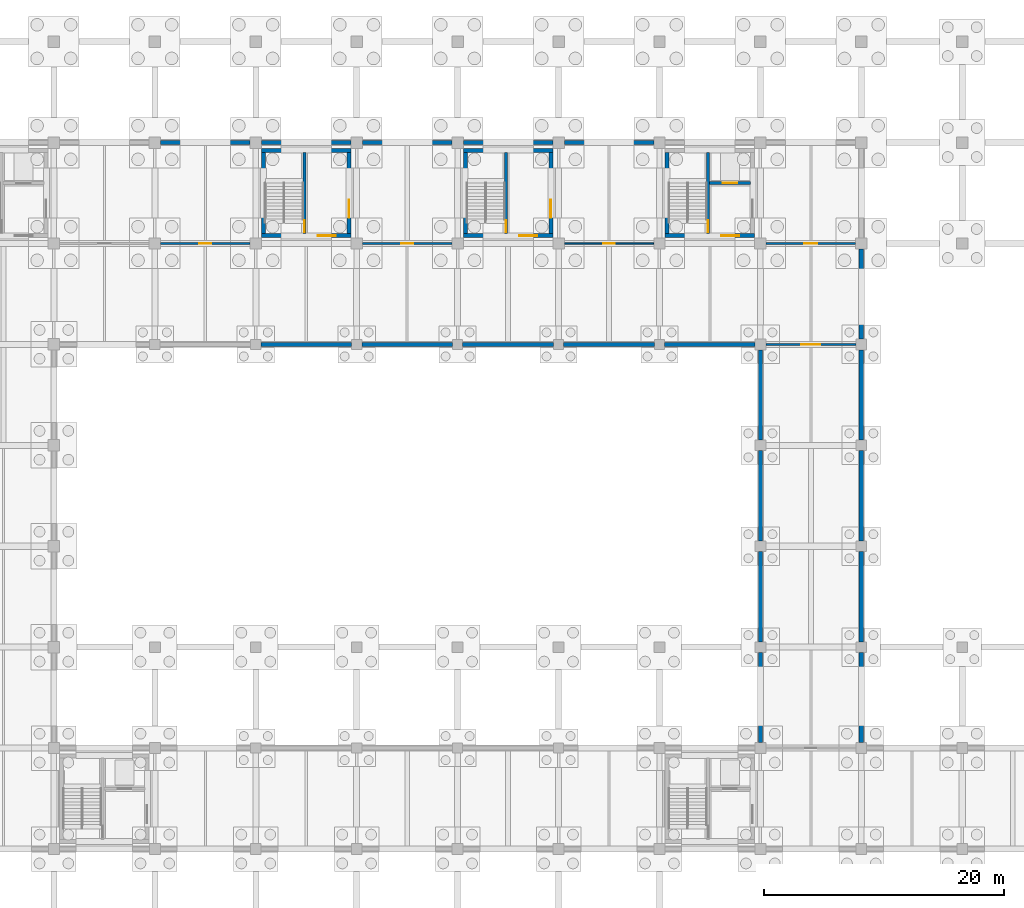
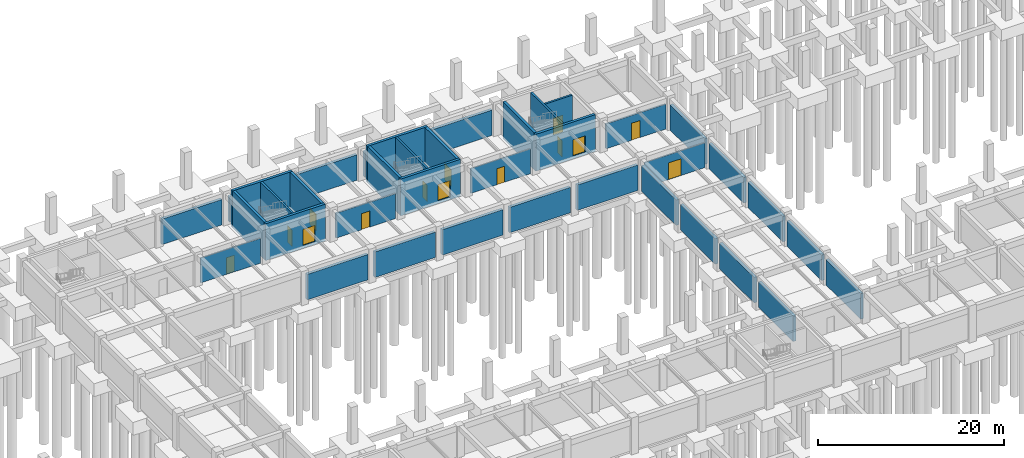
# One storey, part 22 of 29: 38 walls, 14 doors, 14 openings.
"""IFC4 building model written with IfcOpenShell, lengths in metres."""

from ifc_helpers import new_model, si_unit, direction, frame, frame_2d, origin, place, context, subcontext, project, spatial, rectangle, extrude, material, layer, layer_set, type_object, element, fill, save


model = new_model("IFC4")

# Units and contexts
model_context = context("Model", 3, precision=1e-05, world=origin(), true_north=direction((0.0, 1.0)))
body_context = subcontext(model_context, "Body", "Model", "MODEL_VIEW")
ifc_project = project(units=[si_unit("LENGTHUNIT", "METRE"), si_unit("AREAUNIT", "SQUARE_METRE"), si_unit("VOLUMEUNIT", "CUBIC_METRE"), si_unit("PLANEANGLEUNIT", "RADIAN"), si_unit("MASSUNIT", "GRAM", prefix="KILO")], contexts=[model_context])

# Site, building, storey
site_placement = place(None, origin())
site = spatial("IfcSite", under=ifc_project, at=site_placement, CompositionType="ELEMENT")
building_placement = place(site_placement, origin())
building = spatial("IfcBuilding", under=site, at=building_placement, Name="Porcellanite Civic Hall", CompositionType="ELEMENT")
storey_placement = place(building_placement, frame((0.0, 0.0, -4.5)))
storey = spatial("IfcBuildingStorey", under=building, at=storey_placement, Name="B1", CompositionType="ELEMENT", Elevation=-4.5)

# Wall, opening, door
ifc_material_1 = material(Name="Concrete N40 (40 MPa)", Category="concrete")
ifc_layer_1 = layer(ifc_material_1, 0.239990234375)
ifc_layer_set_1 = layer_set([ifc_layer_1], Name="Concrete N40 (40 MPa)")
wall_type_1 = type_object("IfcWallType", Name="CW-SH240", PredefinedType="SHEAR", material=ifc_layer_set_1)
wall_1_placement = place(storey_placement, frame((113.239990234375, 101.610107421875, -0.35009765625), z_axis=(0.0, 0.0, 1.0), x_axis=(0.0, 1.0, 0.0)))
wall_1 = element("IfcWall", 1, at=wall_1_placement, inside=storey, type_object=wall_type_1, Name="Core divider C4 B1", PredefinedType="SHEAR", context=body_context, shape_type="SweptSolid", body=[
    extrude(rectangle(XDim=6.77978515625, YDim=0.239990234375, at=frame_2d((3.389892578125, 0.0))), origin(), (0.0, 0.0, 1.0), 4.85009765625),
])
opening_1_placement = place(wall_1_placement, frame((0.1201171875, 0.0, 0.35009765625)))
opening_1 = element("IfcOpeningElement", 2, at=opening_1_placement, cuts=wall_1, Name="Opening FD-C4-B1-ST", PredefinedType="OPENING", context=body_context, shape_type="SweptSolid", body=[
    extrude(rectangle(XDim=1.0, YDim=2.14990234375, at=frame_2d((0.5, 1.074951171875))), frame((0.0, 0.1201171875, 0.0), z_axis=(0.0, -1.0, 0.0), x_axis=(1.0, 0.0, 0.0)), (0.0, 0.0, 1.0), 0.239990234375),
])
ifc_material_2 = material(Name="Fire-rated solid-core hardwood timber", Category="wood")
door_type_1 = type_object("IfcDoorType", Name="DR-FD100", OperationType="NOTDEFINED", PredefinedType="DOOR", material=ifc_material_2)
door_1_placement = place(opening_1_placement, origin())
door_1 = element("IfcDoor", 3, at=door_1_placement, inside=storey, type_object=door_type_1, Name="Fire stair door FD-C4-B1-ST", OperationType="SINGLE_SWING_LEFT", OverallHeight=2.14990234375, OverallWidth=1.0, PredefinedType="DOOR", context=body_context, shape_type="SweptSolid", body=[
    extrude(rectangle(XDim=1.0, YDim=2.14990234375, at=frame_2d((0.5, 1.074951171875))), frame((0.0, 0.02490234375, 0.0), z_axis=(0.0, -1.0, 0.0), x_axis=(1.0, 0.0, 0.0)), (0.0, 0.0, 1.0), 0.050048828125),
])
fill(opening_1, door_1)

wall_2_placement = place(storey_placement, frame((113.360107421875, 105.820068359375, -0.35009765625), z_axis=(0.0, 0.0, 1.0), x_axis=(1.0, 0.0, 0.0)))
wall_2 = element("IfcWall", 4, at=wall_2_placement, inside=storey, type_object=wall_type_1, Name="Lift shaft wall C4 B1", PredefinedType="SHEAR", context=body_context, shape_type="SweptSolid", body=[
    extrude(rectangle(XDim=3.429931640625, YDim=0.239990234375, at=frame_2d((1.71484375, 0.0))), origin(), (0.0, 0.0, 1.0), 4.85009765625),
])
opening_2_placement = place(wall_2_placement, frame((1.114990234375, 0.0, 0.35009765625)))
opening_2 = element("IfcOpeningElement", 5, at=opening_2_placement, cuts=wall_2, Name="Opening LD-02", PredefinedType="OPENING", context=body_context, shape_type="SweptSolid", body=[
    extrude(rectangle(XDim=1.199951171875, YDim=2.199951171875, at=frame_2d((0.60009765625, 1.10009765625))), frame((0.0, 0.1201171875, 0.0), z_axis=(0.0, -1.0, 0.0), x_axis=(1.0, 0.0, 0.0)), (0.0, 0.0, 1.0), 0.239990234375),
])
ifc_material_3 = material(Name="Brushed stainless steel 316", Category="steel")
door_type_2 = type_object("IfcDoorType", Name="DR-LD120", OperationType="DOUBLE_DOOR_SLIDING", PredefinedType="DOOR", material=ifc_material_3)
door_2_placement = place(opening_2_placement, origin())
door_2 = element("IfcDoor", 6, at=door_2_placement, inside=storey, type_object=door_type_2, Name="Lift landing sliding door LD-02 B1", OperationType="DOUBLE_DOOR_SLIDING", OverallHeight=2.199951171875, OverallWidth=1.199951171875, PredefinedType="DOOR", context=body_context, shape_type="SweptSolid", body=[
    extrude(rectangle(XDim=1.199951171875, YDim=2.199951171875, at=frame_2d((0.60009765625, 1.10009765625))), frame((0.0, 0.02490234375, 0.0), z_axis=(0.0, -1.0, 0.0), x_axis=(1.0, 0.0, 0.0)), (0.0, 0.0, 1.0), 0.050048828125),
])
fill(opening_2, door_2)

wall_3_placement = place(storey_placement, frame((79.639892578125, 101.610107421875, -0.35009765625), z_axis=(0.0, 0.0, 1.0), x_axis=(0.0, 1.0, 0.0)))
wall_3 = element("IfcWall", 7, at=wall_3_placement, inside=storey, type_object=wall_type_1, Name="Core divider S9 B1", PredefinedType="SHEAR", context=body_context, shape_type="SweptSolid", body=[
    extrude(rectangle(XDim=6.77978515625, YDim=0.239990234375, at=frame_2d((3.389892578125, 0.0))), origin(), (0.0, 0.0, 1.0), 4.85009765625),
])
opening_3_placement = place(wall_3_placement, frame((0.1201171875, 0.0, 0.35009765625)))
opening_3 = element("IfcOpeningElement", 8, at=opening_3_placement, cuts=wall_3, Name="Opening FD-S9-B1-ST", PredefinedType="OPENING", context=body_context, shape_type="SweptSolid", body=[
    extrude(rectangle(XDim=1.0, YDim=2.14990234375, at=frame_2d((0.5, 1.074951171875))), frame((0.0, 0.1201171875, 0.0), z_axis=(0.0, -1.0, 0.0), x_axis=(1.0, 0.0, 0.0)), (0.0, 0.0, 1.0), 0.239990234375),
])
door_3_placement = place(opening_3_placement, origin())
door_3 = element("IfcDoor", 9, at=door_3_placement, inside=storey, type_object=door_type_1, Name="Fire stair door FD-S9-B1-ST", OperationType="SINGLE_SWING_RIGHT", OverallHeight=2.14990234375, OverallWidth=1.0, PredefinedType="DOOR", context=body_context, shape_type="SweptSolid", body=[
    extrude(rectangle(XDim=1.0, YDim=2.14990234375, at=frame_2d((0.5, 1.074951171875))), frame((0.0, 0.02490234375, 0.0), z_axis=(0.0, -1.0, 0.0), x_axis=(1.0, 0.0, 0.0)), (0.0, 0.0, 1.0), 0.050048828125),
])
fill(opening_3, door_3)

wall_4_placement = place(storey_placement, frame((96.43994140625, 101.610107421875, -0.35009765625), z_axis=(0.0, 0.0, 1.0), x_axis=(0.0, 1.0, 0.0)))
wall_4 = element("IfcWall", 10, at=wall_4_placement, inside=storey, type_object=wall_type_1, Name="Core divider S10 B1", PredefinedType="SHEAR", context=body_context, shape_type="SweptSolid", body=[
    extrude(rectangle(XDim=6.77978515625, YDim=0.239990234375, at=frame_2d((3.389892578125, 0.0))), origin(), (0.0, 0.0, 1.0), 4.85009765625),
])
opening_4_placement = place(wall_4_placement, frame((0.1201171875, 0.0, 0.35009765625)))
opening_4 = element("IfcOpeningElement", 11, at=opening_4_placement, cuts=wall_4, Name="Opening FD-S10-B1-ST", PredefinedType="OPENING", context=body_context, shape_type="SweptSolid", body=[
    extrude(rectangle(XDim=1.0, YDim=2.14990234375, at=frame_2d((0.5, 1.074951171875))), frame((0.0, 0.1201171875, 0.0), z_axis=(0.0, -1.0, 0.0), x_axis=(1.0, 0.0, 0.0)), (0.0, 0.0, 1.0), 0.239990234375),
])
door_4_placement = place(opening_4_placement, origin())
door_4 = element("IfcDoor", 12, at=door_4_placement, inside=storey, type_object=door_type_1, Name="Fire stair door FD-S10-B1-ST", OperationType="SINGLE_SWING_LEFT", OverallHeight=2.14990234375, OverallWidth=1.0, PredefinedType="DOOR", context=body_context, shape_type="SweptSolid", body=[
    extrude(rectangle(XDim=1.0, YDim=2.14990234375, at=frame_2d((0.5, 1.074951171875))), frame((0.0, 0.02490234375, 0.0), z_axis=(0.0, -1.0, 0.0), x_axis=(1.0, 0.0, 0.0)), (0.0, 0.0, 1.0), 0.050048828125),
])
fill(opening_4, door_4)

ifc_material_4 = material(Name="Concrete N40 (40 MPa)", Category="concrete")
ifc_layer_2 = layer(ifc_material_4, 0.330078125)
ifc_layer_set_2 = layer_set([ifc_layer_2], Name="Concrete N40 (40 MPa)")
wall_type_2 = type_object("IfcWallType", Name="CW-SH330", PredefinedType="SHEAR", material=ifc_layer_set_2)
wall_5_placement = place(storey_placement, frame((117.1201171875, 101.445068359375, -0.35009765625), z_axis=(0.0, 0.0, 1.0), x_axis=(-1.0, 0.0, 0.0)))
wall_5 = element("IfcWall", 13, at=wall_5_placement, inside=storey, type_object=wall_type_2, Name="Core wall C4 B1 S", PredefinedType="SHEAR", context=body_context, shape_type="SweptSolid", body=[
    extrude(rectangle(XDim=7.440185546875, YDim=0.330078125, at=frame_2d((3.72021484375, 0.0))), origin(), (0.0, 0.0, 1.0), 4.85009765625),
])
opening_5_placement = place(wall_5_placement, frame((1.280029296875, 0.0, 0.35009765625)))
opening_5 = element("IfcOpeningElement", 14, at=opening_5_placement, cuts=wall_5, Name="Opening FD-C4-B1-LS", PredefinedType="OPENING", context=body_context, shape_type="SweptSolid", body=[
    extrude(rectangle(XDim=1.5, YDim=2.14990234375, at=frame_2d((0.75, 1.074951171875))), frame((0.0, 0.1650390625, 0.0), z_axis=(0.0, -1.0, 0.0), x_axis=(1.0, 0.0, 0.0)), (0.0, 0.0, 1.0), 0.330078125),
])
ifc_material_5 = material(Name="Fire-rated steel and Georgian wired glass", Category="steel")
door_type_3 = type_object("IfcDoorType", Name="DR-FD150", OperationType="DOUBLE_DOOR_SINGLE_SWING", PredefinedType="DOOR", material=ifc_material_5)
door_5_placement = place(opening_5_placement, origin())
door_5 = element("IfcDoor", 15, at=door_5_placement, inside=storey, type_object=door_type_3, Name="Fire lobby south door FD-C4-B1-LS", OperationType="DOUBLE_DOOR_SINGLE_SWING", OverallHeight=2.14990234375, OverallWidth=1.5, PredefinedType="DOOR", context=body_context, shape_type="SweptSolid", body=[
    extrude(rectangle(XDim=1.5, YDim=2.14990234375, at=frame_2d((0.75, 1.074951171875))), frame((0.0, 0.02490234375, 0.0), z_axis=(0.0, -1.0, 0.0), x_axis=(1.0, 0.0, 0.0)), (0.0, 0.0, 1.0), 0.050048828125),
])
fill(opening_5, door_5)

# Wall
wall_6_placement = place(storey_placement, frame((109.844970703125, 101.610107421875, -0.35009765625), z_axis=(0.0, 0.0, 1.0), x_axis=(0.0, 1.0, 0.0)))
element("IfcWall", 16, at=wall_6_placement, inside=storey, type_object=wall_type_2, Name="Core wall C4 B1 W", PredefinedType="SHEAR", context=body_context, shape_type="SweptSolid", body=[
    extrude(rectangle(XDim=6.77978515625, YDim=0.330078125, at=frame_2d((3.389892578125, 0.0))), origin(), (0.0, 0.0, 1.0), 4.85009765625),
])

# Wall, opening, door
wall_7_placement = place(storey_placement, frame((83.52001953125, 101.445068359375, -0.35009765625), z_axis=(0.0, 0.0, 1.0), x_axis=(-1.0, 0.0, 0.0)))
wall_7 = element("IfcWall", 17, at=wall_7_placement, inside=storey, type_object=wall_type_2, Name="Core wall S9 B1 S", PredefinedType="SHEAR", context=body_context, shape_type="SweptSolid", body=[
    extrude(rectangle(XDim=7.43994140625, YDim=0.330078125, at=frame_2d((3.719970703125, 0.0))), origin(), (0.0, 0.0, 1.0), 4.85009765625),
])
opening_6_placement = place(wall_7_placement, frame((1.280029296875, 0.0, 0.35009765625)))
opening_6 = element("IfcOpeningElement", 18, at=opening_6_placement, cuts=wall_7, Name="Opening FD-S9-B1-LS", PredefinedType="OPENING", context=body_context, shape_type="SweptSolid", body=[
    extrude(rectangle(XDim=1.5, YDim=2.14990234375, at=frame_2d((0.75, 1.074951171875))), frame((0.0, 0.1650390625, 0.0), z_axis=(0.0, -1.0, 0.0), x_axis=(1.0, 0.0, 0.0)), (0.0, 0.0, 1.0), 0.330078125),
])
door_6_placement = place(opening_6_placement, origin())
door_6 = element("IfcDoor", 19, at=door_6_placement, inside=storey, type_object=door_type_3, Name="Fire lobby south door FD-S9-B1-LS", OperationType="DOUBLE_DOOR_SINGLE_SWING", OverallHeight=2.14990234375, OverallWidth=1.5, PredefinedType="DOOR", context=body_context, shape_type="SweptSolid", body=[
    extrude(rectangle(XDim=1.5, YDim=2.14990234375, at=frame_2d((0.75, 1.074951171875))), frame((0.0, 0.02490234375, 0.0), z_axis=(0.0, -1.0, 0.0), x_axis=(1.0, 0.0, 0.0)), (0.0, 0.0, 1.0), 0.050048828125),
])
fill(opening_6, door_6)

# Walls
wall_8_placement = place(storey_placement, frame((76.2451171875, 101.610107421875, -0.35009765625), z_axis=(0.0, 0.0, 1.0), x_axis=(0.0, 1.0, 0.0)))
element("IfcWall", 20, at=wall_8_placement, inside=storey, type_object=wall_type_2, Name="Core wall S9 B1 W", PredefinedType="SHEAR", context=body_context, shape_type="SweptSolid", body=[
    extrude(rectangle(XDim=6.77978515625, YDim=0.330078125, at=frame_2d((3.389892578125, 0.0))), origin(), (0.0, 0.0, 1.0), 4.85009765625),
])
wall_9_placement = place(storey_placement, frame((76.080078125, 108.554931640625, -0.35009765625), z_axis=(0.0, 0.0, 1.0), x_axis=(1.0, 0.0, 0.0)))
element("IfcWall", 21, at=wall_9_placement, inside=storey, type_object=wall_type_2, Name="Core wall S9 B1 N", PredefinedType="SHEAR", context=body_context, shape_type="SweptSolid", body=[
    extrude(rectangle(XDim=7.43994140625, YDim=0.330078125, at=frame_2d((3.719970703125, 0.0))), origin(), (0.0, 0.0, 1.0), 4.85009765625),
])

# Wall, opening, door
wall_10_placement = place(storey_placement, frame((83.35498046875, 108.389892578125, -0.35009765625), z_axis=(0.0, 0.0, 1.0), x_axis=(0.0, -1.0, 0.0)))
wall_10 = element("IfcWall", 22, at=wall_10_placement, inside=storey, type_object=wall_type_2, Name="Core wall S9 B1 E", PredefinedType="SHEAR", context=body_context, shape_type="SweptSolid", body=[
    extrude(rectangle(XDim=6.77978515625, YDim=0.330078125, at=frame_2d((3.389892578125, 0.0))), origin(), (0.0, 0.0, 1.0), 4.85009765625),
])
opening_7_placement = place(wall_10_placement, frame((3.93994140625, 0.0, 0.35009765625)))
opening_7 = element("IfcOpeningElement", 23, at=opening_7_placement, cuts=wall_10, Name="Opening FD-S9-B1-LB", PredefinedType="OPENING", context=body_context, shape_type="SweptSolid", body=[
    extrude(rectangle(XDim=1.5, YDim=2.14990234375, at=frame_2d((0.75, 1.074951171875))), frame((0.0, 0.1650390625, 0.0), z_axis=(0.0, -1.0, 0.0), x_axis=(1.0, 0.0, 0.0)), (0.0, 0.0, 1.0), 0.330078125),
])
door_7_placement = place(opening_7_placement, origin())
door_7 = element("IfcDoor", 24, at=door_7_placement, inside=storey, type_object=door_type_3, Name="Fire lobby double door FD-S9-B1-LB", OperationType="DOUBLE_DOOR_SINGLE_SWING", OverallHeight=2.14990234375, OverallWidth=1.5, PredefinedType="DOOR", context=body_context, shape_type="SweptSolid", body=[
    extrude(rectangle(XDim=1.5, YDim=2.14990234375, at=frame_2d((0.75, 1.074951171875))), frame((0.0, 0.02490234375, 0.0), z_axis=(0.0, -1.0, 0.0), x_axis=(1.0, 0.0, 0.0)), (0.0, 0.0, 1.0), 0.050048828125),
])
fill(opening_7, door_7)

wall_11_placement = place(storey_placement, frame((100.320068359375, 101.445068359375, -0.35009765625), z_axis=(0.0, 0.0, 1.0), x_axis=(-1.0, 0.0, 0.0)))
wall_11 = element("IfcWall", 25, at=wall_11_placement, inside=storey, type_object=wall_type_2, Name="Core wall S10 B1 S", PredefinedType="SHEAR", context=body_context, shape_type="SweptSolid", body=[
    extrude(rectangle(XDim=7.440185546875, YDim=0.330078125, at=frame_2d((3.72021484375, 0.0))), origin(), (0.0, 0.0, 1.0), 4.85009765625),
])
opening_8_placement = place(wall_11_placement, frame((1.280029296875, 0.0, 0.35009765625)))
opening_8 = element("IfcOpeningElement", 26, at=opening_8_placement, cuts=wall_11, Name="Opening FD-S10-B1-LS", PredefinedType="OPENING", context=body_context, shape_type="SweptSolid", body=[
    extrude(rectangle(XDim=1.5, YDim=2.14990234375, at=frame_2d((0.75, 1.074951171875))), frame((0.0, 0.1650390625, 0.0), z_axis=(0.0, -1.0, 0.0), x_axis=(1.0, 0.0, 0.0)), (0.0, 0.0, 1.0), 0.330078125),
])
door_8_placement = place(opening_8_placement, origin())
door_8 = element("IfcDoor", 27, at=door_8_placement, inside=storey, type_object=door_type_3, Name="Fire lobby south door FD-S10-B1-LS", OperationType="DOUBLE_DOOR_SINGLE_SWING", OverallHeight=2.14990234375, OverallWidth=1.5, PredefinedType="DOOR", context=body_context, shape_type="SweptSolid", body=[
    extrude(rectangle(XDim=1.5, YDim=2.14990234375, at=frame_2d((0.75, 1.074951171875))), frame((0.0, 0.02490234375, 0.0), z_axis=(0.0, -1.0, 0.0), x_axis=(1.0, 0.0, 0.0)), (0.0, 0.0, 1.0), 0.050048828125),
])
fill(opening_8, door_8)

# Walls
wall_12_placement = place(storey_placement, frame((93.044921875, 101.610107421875, -0.35009765625), z_axis=(0.0, 0.0, 1.0), x_axis=(0.0, 1.0, 0.0)))
element("IfcWall", 28, at=wall_12_placement, inside=storey, type_object=wall_type_2, Name="Core wall S10 B1 W", PredefinedType="SHEAR", context=body_context, shape_type="SweptSolid", body=[
    extrude(rectangle(XDim=6.77978515625, YDim=0.330078125, at=frame_2d((3.389892578125, 0.0))), origin(), (0.0, 0.0, 1.0), 4.85009765625),
])
wall_13_placement = place(storey_placement, frame((92.8798828125, 108.554931640625, -0.35009765625), z_axis=(0.0, 0.0, 1.0), x_axis=(1.0, 0.0, 0.0)))
element("IfcWall", 29, at=wall_13_placement, inside=storey, type_object=wall_type_2, Name="Core wall S10 B1 N", PredefinedType="SHEAR", context=body_context, shape_type="SweptSolid", body=[
    extrude(rectangle(XDim=7.440185546875, YDim=0.330078125, at=frame_2d((3.72021484375, 0.0))), origin(), (0.0, 0.0, 1.0), 4.85009765625),
])

# Wall, opening, door
wall_14_placement = place(storey_placement, frame((100.155029296875, 108.389892578125, -0.35009765625), z_axis=(0.0, 0.0, 1.0), x_axis=(0.0, -1.0, 0.0)))
wall_14 = element("IfcWall", 30, at=wall_14_placement, inside=storey, type_object=wall_type_2, Name="Core wall S10 B1 E", PredefinedType="SHEAR", context=body_context, shape_type="SweptSolid", body=[
    extrude(rectangle(XDim=6.77978515625, YDim=0.330078125, at=frame_2d((3.389892578125, 0.0))), origin(), (0.0, 0.0, 1.0), 4.85009765625),
])
opening_9_placement = place(wall_14_placement, frame((3.93994140625, 0.0, 0.35009765625)))
opening_9 = element("IfcOpeningElement", 31, at=opening_9_placement, cuts=wall_14, Name="Opening FD-S10-B1-LB", PredefinedType="OPENING", context=body_context, shape_type="SweptSolid", body=[
    extrude(rectangle(XDim=1.5, YDim=2.14990234375, at=frame_2d((0.75, 1.074951171875))), frame((0.0, 0.1650390625, 0.0), z_axis=(0.0, -1.0, 0.0), x_axis=(1.0, 0.0, 0.0)), (0.0, 0.0, 1.0), 0.330078125),
])
door_9_placement = place(opening_9_placement, origin())
door_9 = element("IfcDoor", 32, at=door_9_placement, inside=storey, type_object=door_type_3, Name="Fire lobby double door FD-S10-B1-LB", OperationType="DOUBLE_DOOR_SINGLE_SWING", OverallHeight=2.14990234375, OverallWidth=1.5, PredefinedType="DOOR", context=body_context, shape_type="SweptSolid", body=[
    extrude(rectangle(XDim=1.5, YDim=2.14990234375, at=frame_2d((0.75, 1.074951171875))), frame((0.0, 0.02490234375, 0.0), z_axis=(0.0, -1.0, 0.0), x_axis=(1.0, 0.0, 0.0)), (0.0, 0.0, 1.0), 0.050048828125),
])
fill(opening_9, door_9)

# Walls
ifc_material_6 = material(Name="Concrete N40 (40 MPa)", Category="concrete")
ifc_layer_3 = layer(ifc_material_6, 0.35009765625)
ifc_layer_set_3 = layer_set([ifc_layer_3], Name="Concrete N40 (40 MPa)")
wall_type_3 = type_object("IfcWallType", Name="EW-BSM350", PredefinedType="SOLIDWALL", material=ifc_layer_set_3)
wall_15_placement = place(storey_placement, frame((67.676025390625, 109.199951171875, 0.0), z_axis=(0.0, 0.0, 1.0), x_axis=(1.0, 0.0, 0.0)))
element("IfcWall", 33, at=wall_15_placement, inside=storey, type_object=wall_type_3, Name="Exterior wall B1 N 9-13", PredefinedType="SOLIDWALL", context=body_context, shape_type="SweptSolid", body=[
    extrude(rectangle(XDim=7.447998046875, YDim=0.35009765625, at=frame_2d((3.72412109375, 0.0))), origin(), (0.0, 0.0, 1.0), 3.35009765625),
])
wall_16_placement = place(storey_placement, frame((83.573974609375, 92.39990234375, 0.0), z_axis=(0.0, 0.0, 1.0), x_axis=(-1.0, 0.0, 0.0)))
element("IfcWall", 34, at=wall_16_placement, inside=storey, type_object=wall_type_3, Name="Exterior wall B1 S 10-12", PredefinedType="SOLIDWALL", context=body_context, shape_type="SweptSolid", body=[
    extrude(rectangle(XDim=7.548095703125, YDim=0.35009765625, at=frame_2d((3.77392578125, 0.0))), origin(), (0.0, 0.0, 1.0), 3.35009765625),
])
wall_17_placement = place(storey_placement, frame((76.075927734375, 109.199951171875, 0.0), z_axis=(0.0, 0.0, 1.0), x_axis=(1.0, 0.0, 0.0)))
element("IfcWall", 35, at=wall_17_placement, inside=storey, type_object=wall_type_3, Name="Exterior wall B1 N 10-13", PredefinedType="SOLIDWALL", context=body_context, shape_type="SweptSolid", body=[
    extrude(rectangle(XDim=7.447998046875, YDim=0.35009765625, at=frame_2d((3.72412109375, 0.0))), origin(), (0.0, 0.0, 1.0), 3.35009765625),
])
wall_18_placement = place(storey_placement, frame((91.97412109375, 92.39990234375, 0.0), z_axis=(0.0, 0.0, 1.0), x_axis=(-1.0, 0.0, 0.0)))
element("IfcWall", 36, at=wall_18_placement, inside=storey, type_object=wall_type_3, Name="Exterior wall B1 S 11-12", PredefinedType="SOLIDWALL", context=body_context, shape_type="SweptSolid", body=[
    extrude(rectangle(XDim=7.548095703125, YDim=0.35009765625, at=frame_2d((3.77392578125, 0.0))), origin(), (0.0, 0.0, 1.0), 3.35009765625),
])
wall_19_placement = place(storey_placement, frame((84.47607421875, 109.199951171875, 0.0), z_axis=(0.0, 0.0, 1.0), x_axis=(1.0, 0.0, 0.0)))
element("IfcWall", 37, at=wall_19_placement, inside=storey, type_object=wall_type_3, Name="Exterior wall B1 N 11-13", PredefinedType="SOLIDWALL", context=body_context, shape_type="SweptSolid", body=[
    extrude(rectangle(XDim=7.447998046875, YDim=0.35009765625, at=frame_2d((3.72412109375, 0.0))), origin(), (0.0, 0.0, 1.0), 3.35009765625),
])
wall_20_placement = place(storey_placement, frame((100.3740234375, 92.39990234375, 0.0), z_axis=(0.0, 0.0, 1.0), x_axis=(-1.0, 0.0, 0.0)))
element("IfcWall", 38, at=wall_20_placement, inside=storey, type_object=wall_type_3, Name="Exterior wall B1 S 12-12", PredefinedType="SOLIDWALL", context=body_context, shape_type="SweptSolid", body=[
    extrude(rectangle(XDim=7.548095703125, YDim=0.35009765625, at=frame_2d((3.77392578125, 0.0))), origin(), (0.0, 0.0, 1.0), 3.35009765625),
])
wall_21_placement = place(storey_placement, frame((92.8759765625, 109.199951171875, 0.0), z_axis=(0.0, 0.0, 1.0), x_axis=(1.0, 0.0, 0.0)))
element("IfcWall", 39, at=wall_21_placement, inside=storey, type_object=wall_type_3, Name="Exterior wall B1 N 12-13", PredefinedType="SOLIDWALL", context=body_context, shape_type="SweptSolid", body=[
    extrude(rectangle(XDim=7.447998046875, YDim=0.35009765625, at=frame_2d((3.72412109375, 0.0))), origin(), (0.0, 0.0, 1.0), 3.35009765625),
])
wall_22_placement = place(storey_placement, frame((108.77392578125, 92.39990234375, 0.0), z_axis=(0.0, 0.0, 1.0), x_axis=(-1.0, 0.0, 0.0)))
element("IfcWall", 40, at=wall_22_placement, inside=storey, type_object=wall_type_3, Name="Exterior wall B1 S 13-12", PredefinedType="SOLIDWALL", context=body_context, shape_type="SweptSolid", body=[
    extrude(rectangle(XDim=7.5478515625, YDim=0.35009765625, at=frame_2d((3.77392578125, 0.0))), origin(), (0.0, 0.0, 1.0), 3.35009765625),
])
wall_23_placement = place(storey_placement, frame((101.27587890625, 109.199951171875, 0.0), z_axis=(0.0, 0.0, 1.0), x_axis=(1.0, 0.0, 0.0)))
element("IfcWall", 41, at=wall_23_placement, inside=storey, type_object=wall_type_3, Name="Exterior wall B1 N 13-13", PredefinedType="SOLIDWALL", context=body_context, shape_type="SweptSolid", body=[
    extrude(rectangle(XDim=7.4482421875, YDim=0.35009765625, at=frame_2d((3.72412109375, 0.0))), origin(), (0.0, 0.0, 1.0), 3.35009765625),
])
wall_24_placement = place(storey_placement, frame((117.14892578125, 92.39990234375, 0.0), z_axis=(0.0, 0.0, 1.0), x_axis=(-1.0, 0.0, 0.0)))
element("IfcWall", 42, at=wall_24_placement, inside=storey, type_object=wall_type_3, Name="Exterior wall B1 S 14-12", PredefinedType="SOLIDWALL", context=body_context, shape_type="SweptSolid", body=[
    extrude(rectangle(XDim=7.52294921875, YDim=0.35009765625, at=frame_2d((3.761474609375, 0.0))), origin(), (0.0, 0.0, 1.0), 3.35009765625),
])
for number, where, z_axis, x_axis, name in (
    (43, (117.60009765625, 59.2509765625, 0.0), (0.0, 0.0, 1.0), (0.0, 1.0, 0.0), "Exterior wall B1 W 15-8"),
    (44, (126.0, 66.7490234375, 0.0), (0.0, 0.0, 1.0), (0.0, -1.0, 0.0), "Exterior wall B1 E 15-8"),
    (45, (117.60009765625, 67.65087890625, 0.0), (0.0, 0.0, 1.0), (0.0, 1.0, 0.0), "Exterior wall B1 W 15-9"),
    (46, (126.0, 75.14892578125, 0.0), (0.0, 0.0, 1.0), (0.0, -1.0, 0.0), "Exterior wall B1 E 15-9"),
    (47, (117.60009765625, 76.051025390625, 0.0), (0.0, 0.0, 1.0), (0.0, 1.0, 0.0), "Exterior wall B1 W 15-10"),
    (48, (126.0, 83.549072265625, 0.0), (0.0, 0.0, 1.0), (0.0, -1.0, 0.0), "Exterior wall B1 E 15-10"),
    (49, (117.60009765625, 84.450927734375, 0.0), (0.0, 0.0, 1.0), (0.0, 1.0, 0.0), "Exterior wall B1 W 15-11"),
    (50, (126.0, 91.948974609375, 0.0), (0.0, 0.0, 1.0), (0.0, -1.0, 0.0), "Exterior wall B1 E 15-11"),
):
    element("IfcWall", number, at=place(storey_placement, frame(where, z_axis=z_axis, x_axis=x_axis)), inside=storey, type_object=wall_type_3, Name=name, PredefinedType="SOLIDWALL", context=body_context, shape_type="SweptSolid", body=[
        extrude(rectangle(XDim=7.498046875, YDim=0.35009765625, at=frame_2d((3.7490234375, 0.0))), origin(), (0.0, 0.0, 1.0), 3.35009765625),
    ])
wall_25_placement = place(storey_placement, frame((126.0, 100.323974609375, 0.0), z_axis=(0.0, 0.0, 1.0), x_axis=(0.0, -1.0, 0.0)))
element("IfcWall", 51, at=wall_25_placement, inside=storey, type_object=wall_type_3, Name="Exterior wall B1 E 15-12", PredefinedType="SOLIDWALL", context=body_context, shape_type="SweptSolid", body=[
    extrude(rectangle(XDim=7.472900390625, YDim=0.35009765625, at=frame_2d((3.736328125, 0.0))), origin(), (0.0, 0.0, 1.0), 3.35009765625),
])

# Wall, opening, door
ifc_material_7 = material(Name="Fire-rated plasterboard on light-gauge steel studs", Category="steel")
ifc_layer_4 = layer(ifc_material_7, 0.14794921875)
ifc_layer_set_4 = layer_set([ifc_layer_4], Name="Fire-rated plasterboard on light-gauge steel studs")
wall_type_4 = type_object("IfcWallType", Name="IW-FR148", PredefinedType="PARTITIONING", material=ifc_layer_set_4)
wall_26_placement = place(storey_placement, frame((118.052001953125, 92.39990234375, 0.0), z_axis=(0.0, 0.0, 1.0), x_axis=(1.0, 0.0, 0.0)))
wall_26 = element("IfcWall", 52, at=wall_26_placement, inside=storey, type_object=wall_type_4, Name="Fire compartment wall B1 H 15-11", PredefinedType="PARTITIONING", context=body_context, shape_type="SweptSolid", body=[
    extrude(rectangle(XDim=7.49609375, YDim=0.14794921875, at=frame_2d((3.748046875, 0.0))), origin(), (0.0, 0.0, 1.0), 3.27001953125),
])
opening_10_placement = place(wall_26_placement, frame((2.947998046875, 0.0, 0.0)))
opening_10 = element("IfcOpeningElement", 53, at=opening_10_placement, cuts=wall_26, Name="Opening D-B1-013", PredefinedType="OPENING", context=body_context, shape_type="SweptSolid", body=[
    extrude(rectangle(XDim=1.60009765625, YDim=2.199951171875, at=frame_2d((0.800048828125, 1.10009765625))), frame((0.0, 0.073974609375, 0.0), z_axis=(0.0, -1.0, 0.0), x_axis=(1.0, 0.0, 0.0)), (0.0, 0.0, 1.0), 0.14794921875),
])
ifc_material_8 = material(Name="Fire-rated steel and Georgian wired glass", Category="steel")
door_type_4 = type_object("IfcDoorType", Name="DR-FD160", OperationType="DOUBLE_DOOR_SINGLE_SWING", PredefinedType="DOOR", material=ifc_material_8)
door_10_placement = place(opening_10_placement, origin())
door_10 = element("IfcDoor", 54, at=door_10_placement, inside=storey, type_object=door_type_4, Name="Interior door D-B1-013", OperationType="DOUBLE_DOOR_SINGLE_SWING", OverallHeight=2.199951171875, OverallWidth=1.60009765625, PredefinedType="DOOR", context=body_context, shape_type="SweptSolid", body=[
    extrude(rectangle(XDim=1.60009765625, YDim=2.199951171875, at=frame_2d((0.800048828125, 1.10009765625))), frame((0.0, 0.02490234375, 0.0), z_axis=(0.0, -1.0, 0.0), x_axis=(1.0, 0.0, 0.0)), (0.0, 0.0, 1.0), 0.050048828125),
])
fill(opening_10, door_10)

ifc_material_9 = material(Name="Fire-rated plasterboard on light-gauge steel studs", Category="steel")
ifc_layer_5 = layer(ifc_material_9, 0.159912109375)
ifc_layer_set_5 = layer_set([ifc_layer_5], Name="Fire-rated plasterboard on light-gauge steel studs")
wall_type_5 = type_object("IfcWallType", Name="IW-FR160", PredefinedType="PARTITIONING", material=ifc_layer_set_5)
wall_27_placement = place(storey_placement, frame((67.677001953125, 100.800048828125, 0.0), z_axis=(0.0, 0.0, 1.0), x_axis=(1.0, 0.0, 0.0)))
wall_27 = element("IfcWall", 55, at=wall_27_placement, inside=storey, type_object=wall_type_5, Name="Fire compartment wall B1 H 9-12", PredefinedType="PARTITIONING", context=body_context, shape_type="SweptSolid", body=[
    extrude(rectangle(XDim=7.446044921875, YDim=0.159912109375, at=frame_2d((3.72314453125, 0.0))), origin(), (0.0, 0.0, 1.0), 3.27001953125),
])
opening_11_placement = place(wall_27_placement, frame((3.222900390625, 0.0, 0.0)))
opening_11 = element("IfcOpeningElement", 56, at=opening_11_placement, cuts=wall_27, Name="Opening D-B1-009", PredefinedType="OPENING", context=body_context, shape_type="SweptSolid", body=[
    extrude(rectangle(XDim=1.0, YDim=2.14990234375, at=frame_2d((0.5, 1.074951171875))), frame((0.0, 0.080078125, 0.0), z_axis=(0.0, -1.0, 0.0), x_axis=(1.0, 0.0, 0.0)), (0.0, 0.0, 1.0), 0.159912109375),
])
door_11_placement = place(opening_11_placement, origin())
door_11 = element("IfcDoor", 57, at=door_11_placement, inside=storey, type_object=door_type_1, Name="Interior door D-B1-009", OperationType="SINGLE_SWING_LEFT", OverallHeight=2.14990234375, OverallWidth=1.0, PredefinedType="DOOR", context=body_context, shape_type="SweptSolid", body=[
    extrude(rectangle(XDim=1.0, YDim=2.14990234375, at=frame_2d((0.5, 1.074951171875))), frame((0.0, 0.02490234375, 0.0), z_axis=(0.0, -1.0, 0.0), x_axis=(1.0, 0.0, 0.0)), (0.0, 0.0, 1.0), 0.050048828125),
])
fill(opening_11, door_11)

ifc_material_10 = material(Name="Insulated acoustic plasterboard on light-gauge steel studs", Category="steel")
ifc_layer_6 = layer(ifc_material_10, 0.125)
ifc_layer_set_6 = layer_set([ifc_layer_6], Name="Insulated acoustic plasterboard on light-gauge steel studs")
wall_type_6 = type_object("IfcWallType", Name="IW-PT125", PredefinedType="PARTITIONING", material=ifc_layer_set_6)
wall_28_placement = place(storey_placement, frame((101.277099609375, 100.800048828125, 0.0), z_axis=(0.0, 0.0, 1.0), x_axis=(1.0, 0.0, 0.0)))
wall_28 = element("IfcWall", 58, at=wall_28_placement, inside=storey, type_object=wall_type_6, Name="Partition B1 H 13-12", PredefinedType="PARTITIONING", context=body_context, shape_type="SweptSolid", body=[
    extrude(rectangle(XDim=7.44580078125, YDim=0.125, at=frame_2d((3.722900390625, 0.0))), origin(), (0.0, 0.0, 1.0), 3.27001953125),
])
opening_12_placement = place(wall_28_placement, frame((3.238037109375, 0.0, 0.0)))
opening_12 = element("IfcOpeningElement", 59, at=opening_12_placement, cuts=wall_28, Name="Opening D-B1-011", PredefinedType="OPENING", context=body_context, shape_type="SweptSolid", body=[
    extrude(rectangle(XDim=0.969970703125, YDim=2.1201171875, at=frame_2d((0.48486328125, 1.06005859375))), frame((0.0, 0.0625, 0.0), z_axis=(0.0, -1.0, 0.0), x_axis=(1.0, 0.0, 0.0)), (0.0, 0.0, 1.0), 0.125),
])
ifc_material_11 = material(Name="Solid-core spotted-gum timber", Category="wood")
door_type_5 = type_object("IfcDoorType", Name="DR-RM097", OperationType="NOTDEFINED", PredefinedType="DOOR", material=ifc_material_11)
door_12_placement = place(opening_12_placement, origin())
door_12 = element("IfcDoor", 60, at=door_12_placement, inside=storey, type_object=door_type_5, Name="Interior door D-B1-011", OperationType="SINGLE_SWING_LEFT", OverallHeight=2.1201171875, OverallWidth=0.969970703125, PredefinedType="DOOR", context=body_context, shape_type="SweptSolid", body=[
    extrude(rectangle(XDim=0.969970703125, YDim=2.1201171875, at=frame_2d((0.48486328125, 1.06005859375))), frame((0.0, 0.02490234375, 0.0), z_axis=(0.0, -1.0, 0.0), x_axis=(1.0, 0.0, 0.0)), (0.0, 0.0, 1.0), 0.050048828125),
])
fill(opening_12, door_12)

ifc_material_12 = material(Name="Insulated acoustic plasterboard on light-gauge steel studs", Category="steel")
ifc_layer_7 = layer(ifc_material_12, 0.18505859375)
ifc_layer_set_7 = layer_set([ifc_layer_7], Name="Insulated acoustic plasterboard on light-gauge steel studs")
wall_type_7 = type_object("IfcWallType", Name="IW-PT185", PredefinedType="PARTITIONING", material=ifc_layer_set_7)
wall_29_placement = place(storey_placement, frame((84.47705078125, 100.800048828125, 0.0), z_axis=(0.0, 0.0, 1.0), x_axis=(1.0, 0.0, 0.0)))
wall_29 = element("IfcWall", 61, at=wall_29_placement, inside=storey, type_object=wall_type_7, Name="Partition B1 H 11-12", PredefinedType="PARTITIONING", context=body_context, shape_type="SweptSolid", body=[
    extrude(rectangle(XDim=7.446044921875, YDim=0.18505859375, at=frame_2d((3.72314453125, 0.0))), origin(), (0.0, 0.0, 1.0), 3.27001953125),
])
opening_13_placement = place(wall_29_placement, frame((3.218017578125, 0.0, 0.0)))
opening_13 = element("IfcOpeningElement", 62, at=opening_13_placement, cuts=wall_29, Name="Opening D-B1-010", PredefinedType="OPENING", context=body_context, shape_type="SweptSolid", body=[
    extrude(rectangle(XDim=1.010009765625, YDim=2.1201171875, at=frame_2d((0.5048828125, 1.06005859375))), frame((0.0, 0.092529296875, 0.0), z_axis=(0.0, -1.0, 0.0), x_axis=(1.0, 0.0, 0.0)), (0.0, 0.0, 1.0), 0.18505859375),
])
ifc_material_13 = material(Name="Solid-core spotted-gum timber", Category="wood")
door_type_6 = type_object("IfcDoorType", Name="DR-RM101", OperationType="NOTDEFINED", PredefinedType="DOOR", material=ifc_material_13)
door_13_placement = place(opening_13_placement, origin())
door_13 = element("IfcDoor", 63, at=door_13_placement, inside=storey, type_object=door_type_6, Name="Interior door D-B1-010", OperationType="SINGLE_SWING_RIGHT", OverallHeight=2.1201171875, OverallWidth=1.010009765625, PredefinedType="DOOR", context=body_context, shape_type="SweptSolid", body=[
    extrude(rectangle(XDim=1.010009765625, YDim=2.1201171875, at=frame_2d((0.5048828125, 1.06005859375))), frame((0.0, 0.02490234375, 0.0), z_axis=(0.0, -1.0, 0.0), x_axis=(1.0, 0.0, 0.0)), (0.0, 0.0, 1.0), 0.050048828125),
])
fill(opening_13, door_13)

wall_30_placement = place(storey_placement, frame((118.076904296875, 100.800048828125, 0.0), z_axis=(0.0, 0.0, 1.0), x_axis=(1.0, 0.0, 0.0)))
wall_30 = element("IfcWall", 64, at=wall_30_placement, inside=storey, type_object=wall_type_7, Name="Partition B1 H 15-12", PredefinedType="PARTITIONING", context=body_context, shape_type="SweptSolid", body=[
    extrude(rectangle(XDim=7.446044921875, YDim=0.18505859375, at=frame_2d((3.72314453125, 0.0))), origin(), (0.0, 0.0, 1.0), 3.27001953125),
])
opening_14_placement = place(wall_30_placement, frame((3.193115234375, 0.0, 0.0)))
opening_14 = element("IfcOpeningElement", 65, at=opening_14_placement, cuts=wall_30, Name="Opening D-B1-014", PredefinedType="OPENING", context=body_context, shape_type="SweptSolid", body=[
    extrude(rectangle(XDim=1.06005859375, YDim=2.25, at=frame_2d((0.530029296875, 1.125))), frame((0.0, 0.092529296875, 0.0), z_axis=(0.0, -1.0, 0.0), x_axis=(1.0, 0.0, 0.0)), (0.0, 0.0, 1.0), 0.18505859375),
])
ifc_material_14 = material(Name="Solid-core spotted-gum timber", Category="wood")
door_type_7 = type_object("IfcDoorType", Name="DR-RM106", OperationType="NOTDEFINED", PredefinedType="DOOR", material=ifc_material_14)
door_14_placement = place(opening_14_placement, origin())
door_14 = element("IfcDoor", 66, at=door_14_placement, inside=storey, type_object=door_type_7, Name="Interior door D-B1-014", OperationType="SINGLE_SWING_LEFT", OverallHeight=2.25, OverallWidth=1.06005859375, PredefinedType="DOOR", context=body_context, shape_type="SweptSolid", body=[
    extrude(rectangle(XDim=1.06005859375, YDim=2.25, at=frame_2d((0.530029296875, 1.125))), frame((0.0, 0.02490234375, 0.0), z_axis=(0.0, -1.0, 0.0), x_axis=(1.0, 0.0, 0.0)), (0.0, 0.0, 1.0), 0.050048828125),
])
fill(opening_14, door_14)

save(model, "model.ifc")
